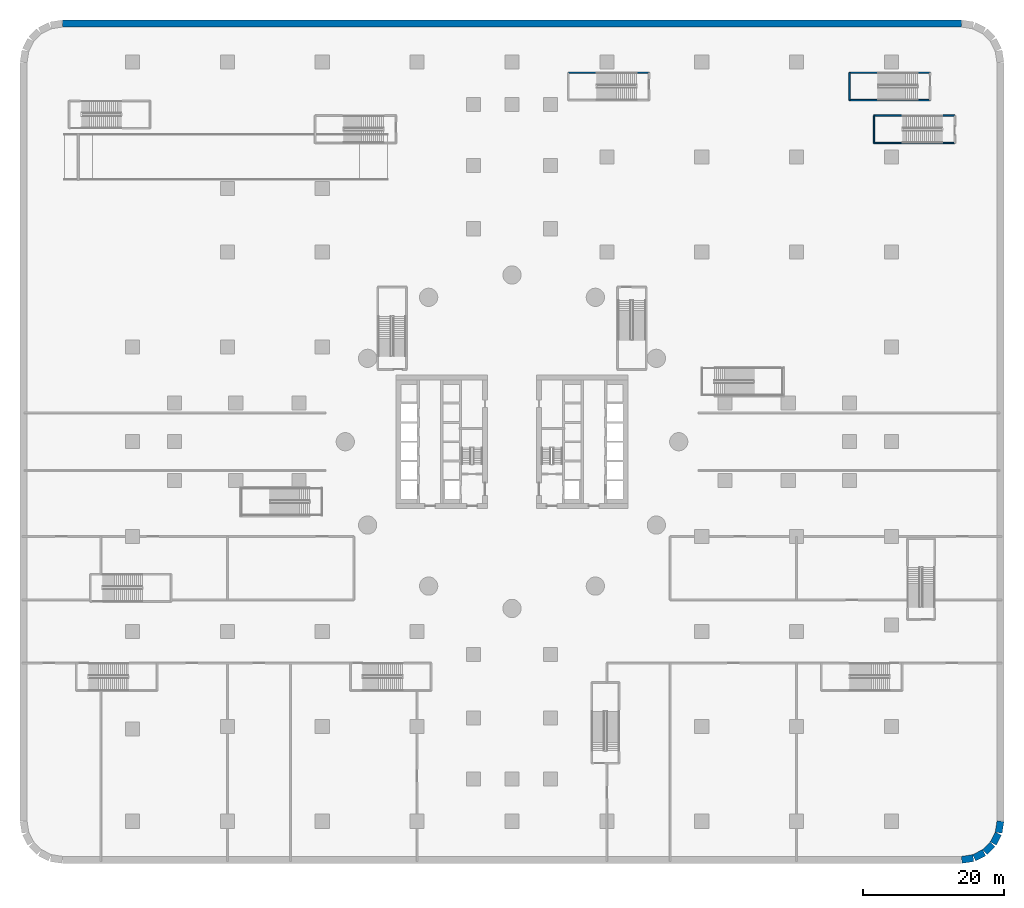
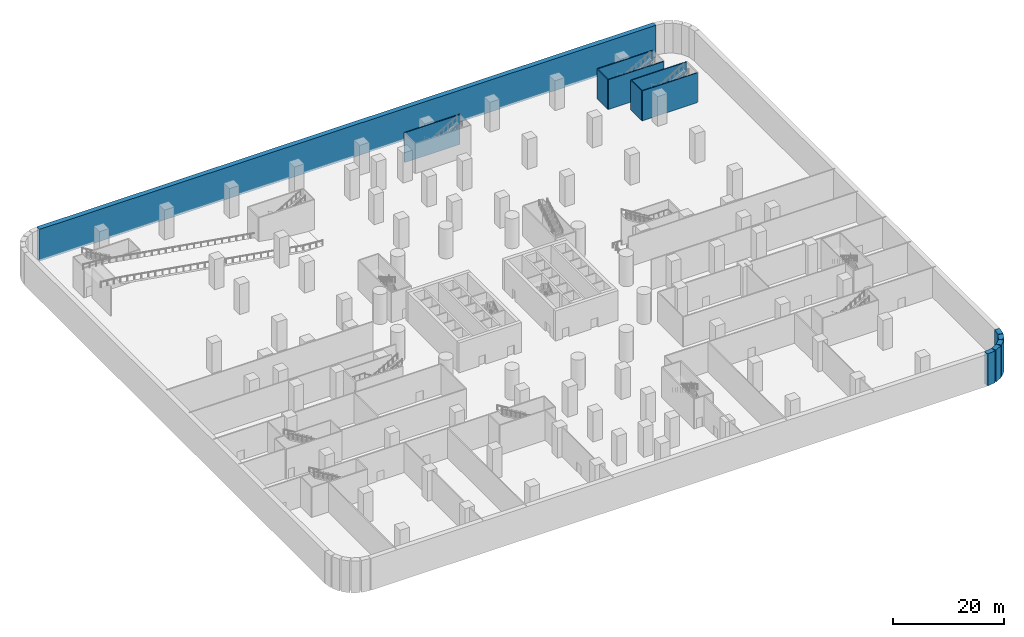
# One storey, part 10 of 30: 13 walls.
"""IFC4 building model written with IfcOpenShell, lengths in metres."""

from ifc_helpers import new_model, si_unit, direction, frame, frame_2d, origin, place, context, subcontext, project, spatial, rectangle, extrude, material, layer, layer_set, type_object, element, save


model = new_model("IFC4")

# Units and contexts
model_context = context("Model", 3, precision=1e-05, world=origin(), true_north=direction((0.0, 1.0)))
body_context = subcontext(model_context, "Body", "Model", "MODEL_VIEW")
ifc_project = project(units=[si_unit("LENGTHUNIT", "METRE"), si_unit("AREAUNIT", "SQUARE_METRE"), si_unit("VOLUMEUNIT", "CUBIC_METRE"), si_unit("PLANEANGLEUNIT", "RADIAN"), si_unit("MASSUNIT", "GRAM", prefix="KILO")], contexts=[model_context])

# Site, building, storey
site_placement = place(None, origin())
site = spatial("IfcSite", under=ifc_project, at=site_placement, CompositionType="ELEMENT")
building_placement = place(site_placement, origin())
building = spatial("IfcBuilding", under=site, at=building_placement, Name="Tamarind Cross Interchange Tower", CompositionType="ELEMENT")
storey_placement = place(building_placement, frame((0.0, 0.0, -14.0)))
storey = spatial("IfcBuildingStorey", under=building, at=storey_placement, Name="B2", CompositionType="ELEMENT", Elevation=-14.0)

# Walls
ifc_material = material(Name="Concrete C40", Category="concrete")
ifc_layer_1 = layer(ifc_material, 1.0)
ifc_layer_set_1 = layer_set([ifc_layer_1], Name="Concrete C40")
wall_type_1 = type_object("IfcWallType", Name="Basement wall 1000 Concrete C40", PredefinedType="SOLIDWALL", material=ifc_layer_set_1)
wall_1_placement = place(storey_placement, frame((-63.931396484375, 59.5, -0.449951171875), z_axis=(0.0, 0.0, 1.0), x_axis=(1.0, 0.0, 0.0)))
element("IfcWall", 1, at=wall_1_placement, inside=storey, type_object=wall_type_1, Name="Basement wall B2-13", PredefinedType="SOLIDWALL", context=body_context, shape_type="SweptSolid", body=[
    extrude(rectangle(XDim=127.86279296875, YDim=1.0, at=frame_2d((63.931396484375, 0.0))), origin(), (0.0, 0.0, 1.0), 7.0),
])
wall_2_placement = place(storey_placement, frame((69.495361328125, -53.989501953125, -0.449951171875), z_axis=(0.0, 0.0, 1.0), x_axis=(-0.156430639922, -0.987688946427, 0.0)))
element("IfcWall", 2, at=wall_2_placement, inside=storey, type_object=wall_type_1, Name="Basement wall B2-20", PredefinedType="SOLIDWALL", context=body_context, shape_type="SweptSolid", body=[
    extrude(rectangle(XDim=1.66064453125, YDim=1.0, at=frame_2d((0.830322265625, 0.0))), origin(), (0.0, 0.0, 1.0), 7.0),
])
for number, where, z_axis, x_axis, name in (
    (3, (69.193603515625, -55.759033203125, -0.449951171875), (0.0, 0.0, 1.0), (-0.453995177443, -0.891004140764, 0.0), "Basement wall B2-21"),
    (4, (68.395751953125, -57.27783203125, -0.449951171875), (0.0, 0.0, 1.0), (-0.707106781187, -0.707106781187, 0.0), "Basement wall B2-22"),
    (5, (67.167724609375, -58.475830078125, -0.449951171875), (0.0, 0.0, 1.0), (-0.891004140764, -0.453995177443, 0.0), "Basement wall B2-23"),
):
    element("IfcWall", number, at=place(storey_placement, frame(where, z_axis=z_axis, x_axis=x_axis)), inside=storey, type_object=wall_type_1, Name=name, PredefinedType="SOLIDWALL", context=body_context, shape_type="SweptSolid", body=[
        extrude(rectangle(XDim=1.5810546875, YDim=1.0, at=frame_2d((0.79052734375, 0.0))), origin(), (0.0, 0.0, 1.0), 7.0),
    ])
wall_3_placement = place(storey_placement, frame((65.629638671875, -59.235595703125, -0.449951171875), z_axis=(0.0, 0.0, 1.0), x_axis=(-0.987688946427, -0.156430639922, 0.0)))
element("IfcWall", 6, at=wall_3_placement, inside=storey, type_object=wall_type_1, Name="Basement wall B2-24", PredefinedType="SOLIDWALL", context=body_context, shape_type="SweptSolid", body=[
    extrude(rectangle(XDim=1.66064453125, YDim=1.0, at=frame_2d((0.830322265625, 0.0))), origin(), (0.0, 0.0, 1.0), 7.0),
])
ifc_layer_2 = layer(ifc_material, 0.199951171875)
ifc_layer_set_2 = layer_set([ifc_layer_2], Name="Concrete C40")
wall_type_2 = type_object("IfcWallType", Name="Stair shaft wall 200 EI 180", PredefinedType="PARTITIONING", material=ifc_layer_set_2)
for number, where, z_axis, x_axis, name in (
    (7, (8.0, 52.5, 0.0), (0.0, 0.0, 1.0), (1.0, 0.0, 0.0), "B2 stair shaft wall 35"),
    (8, (48.0, 48.60009765625, 0.0), (0.0, 0.0, 1.0), (1.0, 0.0, 0.0), "B2 stair shaft wall 45"),
):
    element("IfcWall", number, at=place(storey_placement, frame(where, z_axis=z_axis, x_axis=x_axis)), inside=storey, type_object=wall_type_2, Name=name, PredefinedType="PARTITIONING", context=body_context, shape_type="SweptSolid", body=[
        extrude(rectangle(XDim=11.5, YDim=0.199951171875, at=frame_2d((5.75, 0.0))), origin(), (0.0, 0.0, 1.0), 6.550048828125),
    ])
wall_4_placement = place(storey_placement, frame((48.0, 48.60009765625, 0.0), z_axis=(0.0, 0.0, 1.0), x_axis=(0.0, 1.0, 0.0)))
element("IfcWall", 9, at=wall_4_placement, inside=storey, type_object=wall_type_2, Name="B2 stair shaft wall 46", PredefinedType="PARTITIONING", context=body_context, shape_type="SweptSolid", body=[
    extrude(rectangle(XDim=3.89990234375, YDim=0.199951171875, at=frame_2d((1.949951171875, 0.0))), origin(), (0.0, 0.0, 1.0), 6.550048828125),
])
for number, where, z_axis, x_axis, name in (
    (10, (48.0, 52.5, 0.0), (0.0, 0.0, 1.0), (1.0, 0.0, 0.0), "B2 stair shaft wall 47"),
    (11, (51.5, 42.5, 0.0), (0.0, 0.0, 1.0), (1.0, 0.0, 0.0), "B2 stair shaft wall 49"),
):
    element("IfcWall", number, at=place(storey_placement, frame(where, z_axis=z_axis, x_axis=x_axis)), inside=storey, type_object=wall_type_2, Name=name, PredefinedType="PARTITIONING", context=body_context, shape_type="SweptSolid", body=[
        extrude(rectangle(XDim=11.5, YDim=0.199951171875, at=frame_2d((5.75, 0.0))), origin(), (0.0, 0.0, 1.0), 6.550048828125),
    ])
wall_5_placement = place(storey_placement, frame((51.5, 42.5, 0.0), z_axis=(0.0, 0.0, 1.0), x_axis=(0.0, 1.0, 0.0)))
element("IfcWall", 12, at=wall_5_placement, inside=storey, type_object=wall_type_2, Name="B2 stair shaft wall 50", PredefinedType="PARTITIONING", context=body_context, shape_type="SweptSolid", body=[
    extrude(rectangle(XDim=3.89990234375, YDim=0.199951171875, at=frame_2d((1.949951171875, 0.0))), origin(), (0.0, 0.0, 1.0), 6.550048828125),
])
wall_6_placement = place(storey_placement, frame((51.5, 46.39990234375, 0.0), z_axis=(0.0, 0.0, 1.0), x_axis=(1.0, 0.0, 0.0)))
element("IfcWall", 13, at=wall_6_placement, inside=storey, type_object=wall_type_2, Name="B2 stair shaft wall 51", PredefinedType="PARTITIONING", context=body_context, shape_type="SweptSolid", body=[
    extrude(rectangle(XDim=11.5, YDim=0.199951171875, at=frame_2d((5.75, 0.0))), origin(), (0.0, 0.0, 1.0), 6.550048828125),
])

save(model, "model.ifc")
